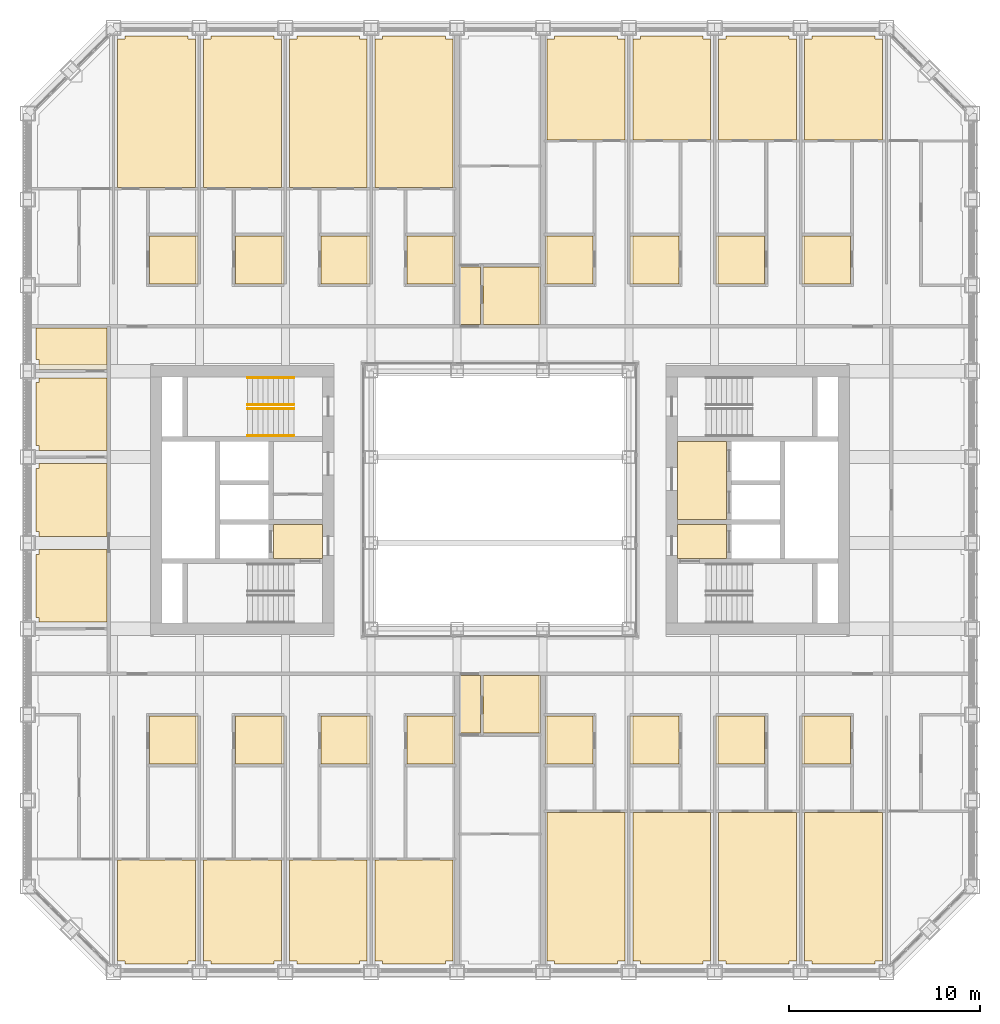
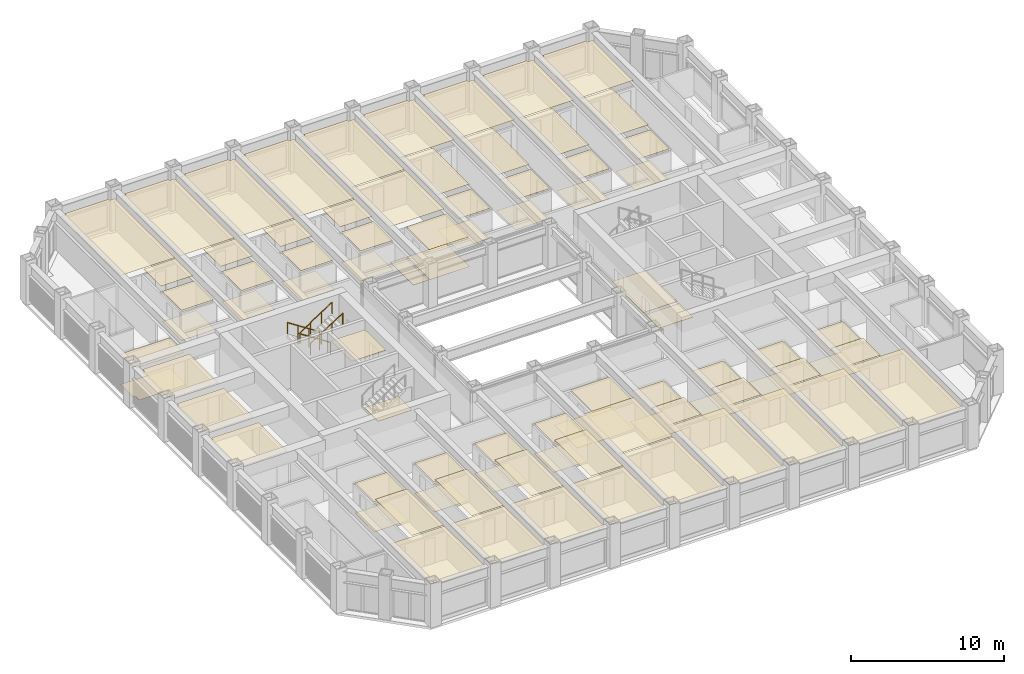
# One storey, part 18 of 21: 4 coverings, 4 railings.
"""IFC4 building model written with IfcOpenShell, lengths in metres."""

from ifc_helpers import new_model, si_unit, direction, frame, origin, origin_2d, place, context, subcontext, project, spatial, line, indexed_curve, circle, outline, extrude, material, layer, layer_set, type_object, element, save


model = new_model("IFC4")

# Units and contexts
model_context = context("Model", 3, precision=1e-05, world=origin(), true_north=direction((0.0, 1.0)))
body_context = subcontext(model_context, "Body", "Model", "MODEL_VIEW")
ifc_project = project(units=[si_unit("LENGTHUNIT", "METRE"), si_unit("AREAUNIT", "SQUARE_METRE"), si_unit("VOLUMEUNIT", "CUBIC_METRE"), si_unit("PLANEANGLEUNIT", "RADIAN"), si_unit("MASSUNIT", "GRAM", prefix="KILO")], contexts=[model_context])

# Site, building, storey
site_placement = place(None, origin())
site = spatial("IfcSite", under=ifc_project, at=site_placement, CompositionType="ELEMENT")
building_placement = place(site_placement, origin())
building = spatial("IfcBuilding", under=site, at=building_placement, Name="Msasa Ring Tower", CompositionType="ELEMENT")
storey_placement = place(building_placement, frame((0.0, 0.0, 103.5)))
storey = spatial("IfcBuildingStorey", under=building, at=storey_placement, Name="L27", CompositionType="ELEMENT", Elevation=103.5)

# Coverings
ifc_material_1 = material(Name="Gypsum plasterboard on a steel suspension grid", Category="steel")
ifc_layer_1 = layer(ifc_material_1, 0.014892578125)
ifc_layer_set_1 = layer_set([ifc_layer_1], Name="C1 SUSPENDED PLASTERBOARD CEILING 15")
covering_type_1 = type_object("IfcCoveringType", Name="C1 SUSPENDED PLASTERBOARD CEILING 15", PredefinedType="CEILING", material=ifc_layer_set_1)
covering_1_placement = place(storey_placement, frame((0.0, 0.0, 2.699951171875)))
element("IfcCovering", 1, at=covering_1_placement, inside=storey, type_object=covering_type_1, Name="Suspended Plasterboard Ceiling 15 L27", PredefinedType="CEILING", context=body_context, shape_type="SweptSolid", body=[
    extrude(outline(indexed_curve([(-24.299560546875, -2.8505859375), (-24.1494140625, -2.8505859375), (-24.1494140625, -2.6005859375), (-20.6005859375, -2.6005859375), (-20.6005859375, -6.3994140625), (-24.1494140625, -6.3994140625), (-24.1494140625, -6.1494140625), (-24.299560546875, -6.1494140625)], segments=[line(1, 2, 3, 4, 5, 6, 7, 8, 1)], self_intersect=False)), origin(), (0.0, 0.0, 1.0), 0.01513671875),
    extrude(outline(indexed_curve([(-24.299560546875, 1.6494140625), (-24.1494140625, 1.6494140625), (-24.1494140625, 1.8994140625), (-20.6005859375, 1.8994140625), (-20.6005859375, -1.8994140625), (-24.1494140625, -1.8994140625), (-24.1494140625, -1.6494140625), (-24.299560546875, -1.6494140625)], segments=[line(1, 2, 3, 4, 5, 6, 7, 8, 1)], self_intersect=False)), origin(), (0.0, 0.0, 1.0), 0.01513671875),
    extrude(outline(indexed_curve([(-24.299560546875, 6.1494140625), (-24.1494140625, 6.1494140625), (-24.1494140625, 6.3994140625), (-20.6005859375, 6.3994140625), (-20.6005859375, 2.6005859375), (-24.1494140625, 2.6005859375), (-24.1494140625, 2.8505859375), (-24.299560546875, 2.8505859375)], segments=[line(1, 2, 3, 4, 5, 6, 7, 8, 1)], self_intersect=False)), origin(), (0.0, 0.0, 1.0), 0.01513671875),
    extrude(outline(indexed_curve([(-15.960693359375, -18.867919921875), (-15.960693359375, -24.1494140625), (-16.3505859375, -24.1494140625), (-16.3505859375, -24.299560546875), (-19.6494140625, -24.299560546875), (-19.6494140625, -24.1494140625), (-20.039306640625, -24.1494140625), (-20.039306640625, -18.867919921875)], segments=[line(1, 2, 3, 4, 5, 6, 7, 8, 1)], self_intersect=False)), origin(), (0.0, 0.0, 1.0), 0.01513671875),
    extrude(outline(indexed_curve([(-20.039306640625, 16.367919921875), (-20.039306640625, 24.1494140625), (-19.6494140625, 24.1494140625), (-19.6494140625, 24.299560546875), (-16.3505859375, 24.299560546875), (-16.3505859375, 24.1494140625), (-15.960693359375, 24.1494140625), (-15.960693359375, 16.367919921875)], segments=[line(1, 2, 3, 4, 5, 6, 7, 8, 1)], self_intersect=False)), origin(), (0.0, 0.0, 1.0), 0.01513671875),
    extrude(outline(indexed_curve([(-15.960693359375, -13.992919921875), (-15.960693359375, -18.757080078125), (-18.369384765625, -18.757080078125), (-18.369384765625, -13.992919921875)], segments=[line(1, 2, 3, 4, 1)], self_intersect=False)), origin(), (0.0, 0.0, 1.0), 0.01513671875),
    extrude(outline(indexed_curve([(-15.960693359375, 16.257080078125), (-15.960693359375, 13.992919921875), (-18.369384765625, 13.992919921875), (-18.369384765625, 16.257080078125)], segments=[line(1, 2, 3, 4, 1)], self_intersect=False)), origin(), (0.0, 0.0, 1.0), 0.01513671875),
    extrude(outline(indexed_curve([(-15.1494140625, -24.299560546875), (-15.1494140625, -24.1494140625), (-15.539306640625, -24.1494140625), (-15.539306640625, -18.867919921875), (-11.460693359375, -18.867919921875), (-11.460693359375, -24.1494140625), (-11.8505859375, -24.1494140625), (-11.8505859375, -24.299560546875)], segments=[line(1, 2, 3, 4, 5, 6, 7, 8, 1)], self_intersect=False)), origin(), (0.0, 0.0, 1.0), 0.01513671875),
    extrude(outline(indexed_curve([(-11.8505859375, 24.299560546875), (-11.8505859375, 24.1494140625), (-11.460693359375, 24.1494140625), (-11.460693359375, 16.367919921875), (-15.539306640625, 16.367919921875), (-15.539306640625, 24.1494140625), (-15.1494140625, 24.1494140625), (-15.1494140625, 24.299560546875)], segments=[line(1, 2, 3, 4, 5, 6, 7, 8, 1)], self_intersect=False)), origin(), (0.0, 0.0, 1.0), 0.01513671875),
    extrude(outline(indexed_curve([(-13.869384765625, -18.757080078125), (-13.869384765625, -13.992919921875), (-11.460693359375, -13.992919921875), (-11.460693359375, -18.757080078125)], segments=[line(1, 2, 3, 4, 1)], self_intersect=False)), origin(), (0.0, 0.0, 1.0), 0.01513671875),
    extrude(outline(indexed_curve([(-13.869384765625, 13.992919921875), (-13.869384765625, 16.257080078125), (-11.460693359375, 16.257080078125), (-11.460693359375, 13.992919921875)], segments=[line(1, 2, 3, 4, 1)], self_intersect=False)), origin(), (0.0, 0.0, 1.0), 0.01513671875),
    extrude(outline(indexed_curve([(-9.300537109375, 3.074462890625), (-9.300537109375, 0.35546875), (-11.87451171875, 0.35546875), (-11.87451171875, 3.074462890625)], segments=[line(1, 2, 3, 4, 1)], self_intersect=False)), origin(), (0.0, 0.0, 1.0), 0.01513671875),
    extrude(outline(indexed_curve([(-10.6494140625, -24.299560546875), (-10.6494140625, -24.1494140625), (-11.039306640625, -24.1494140625), (-11.039306640625, -18.867919921875), (-6.960693359375, -18.867919921875), (-6.960693359375, -24.1494140625), (-7.3505859375, -24.1494140625), (-7.3505859375, -24.299560546875)], segments=[line(1, 2, 3, 4, 5, 6, 7, 8, 1)], self_intersect=False)), origin(), (0.0, 0.0, 1.0), 0.01513671875),
    extrude(outline(indexed_curve([(-7.3505859375, 24.299560546875), (-7.3505859375, 24.1494140625), (-6.960693359375, 24.1494140625), (-6.960693359375, 16.367919921875), (-11.039306640625, 16.367919921875), (-11.039306640625, 24.1494140625), (-10.6494140625, 24.1494140625), (-10.6494140625, 24.299560546875)], segments=[line(1, 2, 3, 4, 5, 6, 7, 8, 1)], self_intersect=False)), origin(), (0.0, 0.0, 1.0), 0.01513671875),
    extrude(outline(indexed_curve([(-6.960693359375, -13.992919921875), (-6.960693359375, -18.757080078125), (-9.369384765625, -18.757080078125), (-9.369384765625, -13.992919921875)], segments=[line(1, 2, 3, 4, 1)], self_intersect=False)), origin(), (0.0, 0.0, 1.0), 0.01513671875),
    extrude(outline(indexed_curve([(-9.369384765625, 13.992919921875), (-9.369384765625, 16.257080078125), (-6.960693359375, 16.257080078125), (-6.960693359375, 13.992919921875)], segments=[line(1, 2, 3, 4, 1)], self_intersect=False)), origin(), (0.0, 0.0, 1.0), 0.01513671875),
    extrude(outline(indexed_curve([(-6.1494140625, -24.299560546875), (-6.1494140625, -24.1494140625), (-6.539306640625, -24.1494140625), (-6.539306640625, -18.867919921875), (-2.460693359375, -18.867919921875), (-2.460693359375, -24.1494140625), (-2.8505859375, -24.1494140625), (-2.8505859375, -24.299560546875)], segments=[line(1, 2, 3, 4, 5, 6, 7, 8, 1)], self_intersect=False)), origin(), (0.0, 0.0, 1.0), 0.01513671875),
    extrude(outline(indexed_curve([(-2.8505859375, 24.299560546875), (-2.8505859375, 24.1494140625), (-2.460693359375, 24.1494140625), (-2.460693359375, 16.367919921875), (-6.539306640625, 16.367919921875), (-6.539306640625, 24.1494140625), (-6.1494140625, 24.1494140625), (-6.1494140625, 24.299560546875)], segments=[line(1, 2, 3, 4, 5, 6, 7, 8, 1)], self_intersect=False)), origin(), (0.0, 0.0, 1.0), 0.01513671875),
    extrude(outline(indexed_curve([(-2.460693359375, -13.992919921875), (-2.460693359375, -18.757080078125), (-4.869384765625, -18.757080078125), (-4.869384765625, -13.992919921875)], segments=[line(1, 2, 3, 4, 1)], self_intersect=False)), origin(), (0.0, 0.0, 1.0), 0.01513671875),
    extrude(outline(indexed_curve([(-2.460693359375, 16.257080078125), (-2.460693359375, 13.992919921875), (-4.869384765625, 13.992919921875), (-4.869384765625, 16.257080078125)], segments=[line(1, 2, 3, 4, 1)], self_intersect=False)), origin(), (0.0, 0.0, 1.0), 0.01513671875),
    extrude(outline(indexed_curve([(-1.6494140625, -24.299560546875), (-1.6494140625, -24.1494140625), (-2.039306640625, -24.1494140625), (-2.039306640625, -17.555419921875), (2.039306640625, -17.555419921875), (2.039306640625, -24.1494140625), (1.6494140625, -24.1494140625), (1.6494140625, -24.299560546875)], segments=[line(1, 2, 3, 4, 5, 6, 7, 8, 1)], self_intersect=False)), origin(), (0.0, 0.0, 1.0), 0.01513671875),
    extrude(outline(indexed_curve([(-2.039306640625, -17.444580078125), (-2.039306640625, -12.380615234375), (2.039306640625, -12.380615234375), (2.039306640625, -17.444580078125)], segments=[line(1, 2, 3, 4, 1)], self_intersect=False)), origin(), (0.0, 0.0, 1.0), 0.01513671875),
    extrude(outline(indexed_curve([(2.039306640625, 17.444580078125), (2.039306640625, 12.380615234375), (-2.039306640625, 12.380615234375), (-2.039306640625, 17.444580078125)], segments=[line(1, 2, 3, 4, 1)], self_intersect=False)), origin(), (0.0, 0.0, 1.0), 0.01513671875),
    extrude(outline(indexed_curve([(1.6494140625, 24.299560546875), (1.6494140625, 24.1494140625), (2.039306640625, 24.1494140625), (2.039306640625, 17.555419921875), (-2.039306640625, 17.555419921875), (-2.039306640625, 24.1494140625), (-1.6494140625, 24.1494140625), (-1.6494140625, 24.299560546875)], segments=[line(1, 2, 3, 4, 5, 6, 7, 8, 1)], self_intersect=False)), origin(), (0.0, 0.0, 1.0), 0.01513671875),
    extrude(outline(indexed_curve([(2.8505859375, -24.299560546875), (2.8505859375, -24.1494140625), (2.460693359375, -24.1494140625), (2.460693359375, -16.367919921875), (6.539306640625, -16.367919921875), (6.539306640625, -24.1494140625), (6.1494140625, -24.1494140625), (6.1494140625, -24.299560546875)], segments=[line(1, 2, 3, 4, 5, 6, 7, 8, 1)], self_intersect=False)), origin(), (0.0, 0.0, 1.0), 0.01513671875),
    extrude(outline(indexed_curve([(4.869384765625, -13.992919921875), (4.869384765625, -16.257080078125), (2.460693359375, -16.257080078125), (2.460693359375, -13.992919921875)], segments=[line(1, 2, 3, 4, 1)], self_intersect=False)), origin(), (0.0, 0.0, 1.0), 0.01513671875),
    extrude(outline(indexed_curve([(4.869384765625, 13.992919921875), (2.460693359375, 13.992919921875), (2.460693359375, 18.757080078125), (4.869384765625, 18.757080078125)], segments=[line(1, 2, 3, 4, 1)], self_intersect=False)), origin(), (0.0, 0.0, 1.0), 0.01513671875),
    extrude(outline(indexed_curve([(6.1494140625, 24.299560546875), (6.1494140625, 24.1494140625), (6.539306640625, 24.1494140625), (6.539306640625, 18.867919921875), (2.460693359375, 18.867919921875), (2.460693359375, 24.1494140625), (2.8505859375, 24.1494140625), (2.8505859375, 24.299560546875)], segments=[line(1, 2, 3, 4, 5, 6, 7, 8, 1)], self_intersect=False)), origin(), (0.0, 0.0, 1.0), 0.01513671875),
    extrude(outline(indexed_curve([(7.3505859375, -24.299560546875), (7.3505859375, -24.1494140625), (6.960693359375, -24.1494140625), (6.960693359375, -16.367919921875), (11.039306640625, -16.367919921875), (11.039306640625, -24.1494140625), (10.6494140625, -24.1494140625), (10.6494140625, -24.299560546875)], segments=[line(1, 2, 3, 4, 5, 6, 7, 8, 1)], self_intersect=False)), origin(), (0.0, 0.0, 1.0), 0.01513671875),
    extrude(outline(indexed_curve([(9.369384765625, -13.992919921875), (9.369384765625, -16.257080078125), (6.960693359375, -16.257080078125), (6.960693359375, -13.992919921875)], segments=[line(1, 2, 3, 4, 1)], self_intersect=False)), origin(), (0.0, 0.0, 1.0), 0.01513671875),
    extrude(outline(indexed_curve([(9.369384765625, 18.757080078125), (9.369384765625, 13.992919921875), (6.960693359375, 13.992919921875), (6.960693359375, 18.757080078125)], segments=[line(1, 2, 3, 4, 1)], self_intersect=False)), origin(), (0.0, 0.0, 1.0), 0.01513671875),
    extrude(outline(indexed_curve([(10.6494140625, 24.299560546875), (10.6494140625, 24.1494140625), (11.039306640625, 24.1494140625), (11.039306640625, 18.867919921875), (6.960693359375, 18.867919921875), (6.960693359375, 24.1494140625), (7.3505859375, 24.1494140625), (7.3505859375, 24.299560546875)], segments=[line(1, 2, 3, 4, 5, 6, 7, 8, 1)], self_intersect=False)), origin(), (0.0, 0.0, 1.0), 0.01513671875),
    extrude(outline(indexed_curve([(11.8505859375, -24.299560546875), (11.8505859375, -24.1494140625), (11.460693359375, -24.1494140625), (11.460693359375, -16.367919921875), (15.539306640625, -16.367919921875), (15.539306640625, -24.1494140625), (15.1494140625, -24.1494140625), (15.1494140625, -24.299560546875)], segments=[line(1, 2, 3, 4, 5, 6, 7, 8, 1)], self_intersect=False)), origin(), (0.0, 0.0, 1.0), 0.01513671875),
    extrude(outline(indexed_curve([(13.869384765625, -16.257080078125), (11.460693359375, -16.257080078125), (11.460693359375, -13.992919921875), (13.869384765625, -13.992919921875)], segments=[line(1, 2, 3, 4, 1)], self_intersect=False)), origin(), (0.0, 0.0, 1.0), 0.01513671875),
    extrude(outline(indexed_curve([(13.869384765625, 18.757080078125), (13.869384765625, 13.992919921875), (11.460693359375, 13.992919921875), (11.460693359375, 18.757080078125)], segments=[line(1, 2, 3, 4, 1)], self_intersect=False)), origin(), (0.0, 0.0, 1.0), 0.01513671875),
    extrude(outline(indexed_curve([(15.1494140625, 24.299560546875), (15.1494140625, 24.1494140625), (15.539306640625, 24.1494140625), (15.539306640625, 18.867919921875), (11.460693359375, 18.867919921875), (11.460693359375, 24.1494140625), (11.8505859375, 24.1494140625), (11.8505859375, 24.299560546875)], segments=[line(1, 2, 3, 4, 5, 6, 7, 8, 1)], self_intersect=False)), origin(), (0.0, 0.0, 1.0), 0.01513671875),
    extrude(outline(indexed_curve([(16.3505859375, -24.299560546875), (16.3505859375, -24.1494140625), (15.960693359375, -24.1494140625), (15.960693359375, -16.367919921875), (20.039306640625, -16.367919921875), (20.039306640625, -24.1494140625), (19.6494140625, -24.1494140625), (19.6494140625, -24.299560546875)], segments=[line(1, 2, 3, 4, 5, 6, 7, 8, 1)], self_intersect=False)), origin(), (0.0, 0.0, 1.0), 0.01513671875),
    extrude(outline(indexed_curve([(18.369384765625, -16.257080078125), (15.960693359375, -16.257080078125), (15.960693359375, -13.992919921875), (18.369384765625, -13.992919921875)], segments=[line(1, 2, 3, 4, 1)], self_intersect=False)), origin(), (0.0, 0.0, 1.0), 0.01513671875),
    extrude(outline(indexed_curve([(18.369384765625, 13.992919921875), (15.960693359375, 13.992919921875), (15.960693359375, 18.757080078125), (18.369384765625, 18.757080078125)], segments=[line(1, 2, 3, 4, 1)], self_intersect=False)), origin(), (0.0, 0.0, 1.0), 0.01513671875),
    extrude(outline(indexed_curve([(19.6494140625, 24.299560546875), (19.6494140625, 24.1494140625), (20.039306640625, 24.1494140625), (20.039306640625, 18.867919921875), (15.960693359375, 18.867919921875), (15.960693359375, 24.1494140625), (16.3505859375, 24.1494140625), (16.3505859375, 24.299560546875)], segments=[line(1, 2, 3, 4, 5, 6, 7, 8, 1)], self_intersect=False)), origin(), (0.0, 0.0, 1.0), 0.01513671875),
])
ifc_material_2 = material(Name="Moisture-resistant gypsum plasterboard on a steel suspension grid", Category="steel")
ifc_layer_2 = layer(ifc_material_2, 0.014892578125)
ifc_layer_set_2 = layer_set([ifc_layer_2], Name="C2 MOISTURE-RESISTANT PLASTERBOARD CEILING 15")
covering_type_2 = type_object("IfcCoveringType", Name="C2 MOISTURE-RESISTANT PLASTERBOARD CEILING 15", PredefinedType="CEILING", material=ifc_layer_set_2)
covering_2_placement = place(storey_placement, frame((0.0, 0.0, 2.39990234375)))
element("IfcCovering", 2, at=covering_2_placement, inside=storey, type_object=covering_type_2, Name="Moisture-Resistant Plasterboard Ceiling 15 L27", PredefinedType="CEILING", context=body_context, shape_type="SweptSolid", body=[
    extrude(outline(indexed_curve([(-20.6005859375, 7.1005859375), (-24.1494140625, 7.1005859375), (-24.1494140625, 7.3505859375), (-24.299560546875, 7.3505859375), (-24.299560546875, 8.99951171875), (-20.6005859375, 8.99951171875)], segments=[line(1, 2, 3, 4, 5, 6, 1)], self_intersect=False)), origin(), (0.0, 0.0, 1.0), 0.01513671875),
    extrude(outline(indexed_curve([(-18.369384765625, -11.318115234375), (-15.960693359375, -11.318115234375), (-15.960693359375, -13.83203125), (-18.369384765625, -13.83203125)], segments=[line(1, 2, 3, 4, 1)], self_intersect=False)), origin(), (0.0, 0.0, 1.0), 0.01513671875),
    extrude(outline(indexed_curve([(-18.369384765625, 13.83203125), (-15.960693359375, 13.83203125), (-15.960693359375, 11.318115234375), (-18.369384765625, 11.318115234375)], segments=[line(1, 2, 3, 4, 1)], self_intersect=False)), origin(), (0.0, 0.0, 1.0), 0.01513671875),
    extrude(outline(indexed_curve([(-13.869384765625, -11.318115234375), (-11.460693359375, -11.318115234375), (-11.460693359375, -13.83203125), (-13.869384765625, -13.83203125)], segments=[line(1, 2, 3, 4, 1)], self_intersect=False)), origin(), (0.0, 0.0, 1.0), 0.01513671875),
    extrude(outline(indexed_curve([(-11.460693359375, 13.83203125), (-11.460693359375, 11.318115234375), (-13.869384765625, 11.318115234375), (-13.869384765625, 13.83203125)], segments=[line(1, 2, 3, 4, 1)], self_intersect=False)), origin(), (0.0, 0.0, 1.0), 0.01513671875),
    extrude(outline(indexed_curve([(-9.369384765625, -11.318115234375), (-6.960693359375, -11.318115234375), (-6.960693359375, -13.83203125), (-9.369384765625, -13.83203125)], segments=[line(1, 2, 3, 4, 1)], self_intersect=False)), origin(), (0.0, 0.0, 1.0), 0.01513671875),
    extrude(outline(indexed_curve([(-6.960693359375, 13.83203125), (-6.960693359375, 11.318115234375), (-9.369384765625, 11.318115234375), (-9.369384765625, 13.83203125)], segments=[line(1, 2, 3, 4, 1)], self_intersect=False)), origin(), (0.0, 0.0, 1.0), 0.01513671875),
    extrude(outline(indexed_curve([(-4.869384765625, -11.318115234375), (-2.460693359375, -11.318115234375), (-2.460693359375, -13.83203125), (-4.869384765625, -13.83203125)], segments=[line(1, 2, 3, 4, 1)], self_intersect=False)), origin(), (0.0, 0.0, 1.0), 0.01513671875),
    extrude(outline(indexed_curve([(-4.869384765625, 13.83203125), (-2.460693359375, 13.83203125), (-2.460693359375, 11.318115234375), (-4.869384765625, 11.318115234375)], segments=[line(1, 2, 3, 4, 1)], self_intersect=False)), origin(), (0.0, 0.0, 1.0), 0.01513671875),
    extrude(outline(indexed_curve([(-0.8994140625, -9.200439453125), (2.039306640625, -9.200439453125), (2.039306640625, -12.219482421875), (-0.8994140625, -12.219482421875)], segments=[line(1, 2, 3, 4, 1)], self_intersect=False)), origin(), (0.0, 0.0, 1.0), 0.01513671875),
    extrude(outline(indexed_curve([(-0.8994140625, 12.219482421875), (2.039306640625, 12.219482421875), (2.039306640625, 9.200439453125), (-0.8994140625, 9.200439453125)], segments=[line(1, 2, 3, 4, 1)], self_intersect=False)), origin(), (0.0, 0.0, 1.0), 0.01513671875),
    extrude(outline(indexed_curve([(4.869384765625, -11.318115234375), (4.869384765625, -13.83203125), (2.460693359375, -13.83203125), (2.460693359375, -11.318115234375)], segments=[line(1, 2, 3, 4, 1)], self_intersect=False)), origin(), (0.0, 0.0, 1.0), 0.01513671875),
    extrude(outline(indexed_curve([(4.869384765625, 13.83203125), (4.869384765625, 11.318115234375), (2.460693359375, 11.318115234375), (2.460693359375, 13.83203125)], segments=[line(1, 2, 3, 4, 1)], self_intersect=False)), origin(), (0.0, 0.0, 1.0), 0.01513671875),
    extrude(outline(indexed_curve([(9.369384765625, -11.318115234375), (9.369384765625, -13.83203125), (6.960693359375, -13.83203125), (6.960693359375, -11.318115234375)], segments=[line(1, 2, 3, 4, 1)], self_intersect=False)), origin(), (0.0, 0.0, 1.0), 0.01513671875),
    extrude(outline(indexed_curve([(9.369384765625, 13.83203125), (9.369384765625, 11.318115234375), (6.960693359375, 11.318115234375), (6.960693359375, 13.83203125)], segments=[line(1, 2, 3, 4, 1)], self_intersect=False)), origin(), (0.0, 0.0, 1.0), 0.01513671875),
    extrude(outline(indexed_curve([(13.869384765625, -11.318115234375), (13.869384765625, -13.83203125), (11.460693359375, -13.83203125), (11.460693359375, -11.318115234375)], segments=[line(1, 2, 3, 4, 1)], self_intersect=False)), origin(), (0.0, 0.0, 1.0), 0.01513671875),
    extrude(outline(indexed_curve([(13.869384765625, 13.83203125), (13.869384765625, 11.318115234375), (11.460693359375, 11.318115234375), (11.460693359375, 13.83203125)], segments=[line(1, 2, 3, 4, 1)], self_intersect=False)), origin(), (0.0, 0.0, 1.0), 0.01513671875),
    extrude(outline(indexed_curve([(18.369384765625, -11.318115234375), (18.369384765625, -13.83203125), (15.960693359375, -13.83203125), (15.960693359375, -11.318115234375)], segments=[line(1, 2, 3, 4, 1)], self_intersect=False)), origin(), (0.0, 0.0, 1.0), 0.01513671875),
    extrude(outline(indexed_curve([(18.369384765625, 13.83203125), (18.369384765625, 11.318115234375), (15.960693359375, 11.318115234375), (15.960693359375, 13.83203125)], segments=[line(1, 2, 3, 4, 1)], self_intersect=False)), origin(), (0.0, 0.0, 1.0), 0.01513671875),
])
ifc_material_3 = material(Name="Honed granite tiles on a mortar bed", Category="masonry")
ifc_layer_3 = layer(ifc_material_3, 0.030029296875)
ifc_layer_set_3 = layer_set([ifc_layer_3], Name="F1 HONED GRANITE ON BEDDING 30")
covering_type_3 = type_object("IfcCoveringType", Name="F1 HONED GRANITE ON BEDDING 30", PredefinedType="FLOORING", material=ifc_layer_set_3)
covering_3_placement = place(storey_placement, origin())
element("IfcCovering", 3, at=covering_3_placement, inside=storey, type_object=covering_type_3, Name="Honed Granite On Bedding 30 L27", PredefinedType="FLOORING", context=body_context, shape_type="SweptSolid", body=[
    extrude(outline(indexed_curve([(-11.87451171875, -3.074462890625), (-11.87451171875, -1.275390625), (-9.300537109375, -1.275390625), (-9.300537109375, -3.074462890625)], segments=[line(1, 2, 3, 4, 1)], self_intersect=False)), origin(), (0.0, 0.0, 1.0), 0.030029296875),
    extrude(outline(indexed_curve([(-2.12451171875, -12.219482421875), (-2.12451171875, -9.200439453125), (-1.025390625, -9.200439453125), (-1.025390625, -12.219482421875)], segments=[line(1, 2, 3, 4, 1)], self_intersect=False)), origin(), (0.0, 0.0, 1.0), 0.030029296875),
    extrude(outline(indexed_curve([(-1.025390625, 12.219482421875), (-1.025390625, 9.200439453125), (-2.12451171875, 9.200439453125), (-2.12451171875, 12.219482421875)], segments=[line(1, 2, 3, 4, 1)], self_intersect=False)), origin(), (0.0, 0.0, 1.0), 0.030029296875),
    extrude(outline(indexed_curve([(9.300537109375, -3.074462890625), (9.300537109375, -1.275390625), (11.87451171875, -1.275390625), (11.87451171875, -3.074462890625)], segments=[line(1, 2, 3, 4, 1)], self_intersect=False)), origin(), (0.0, 0.0, 1.0), 0.030029296875),
    extrude(outline(indexed_curve([(9.300537109375, 3.074462890625), (11.87451171875, 3.074462890625), (11.87451171875, -1.0244140625), (9.300537109375, -1.0244140625)], segments=[line(1, 2, 3, 4, 1)], self_intersect=False)), origin(), (0.0, 0.0, 1.0), 0.030029296875),
])
ifc_material_4 = material(Name="Porcelain floor tiles in adhesive", Category="ceramic")
ifc_layer_4 = layer(ifc_material_4, 0.010009765625)
ifc_layer_set_4 = layer_set([ifc_layer_4], Name="F4 PORCELAIN TILE ON ADHESIVE 10")
covering_type_4 = type_object("IfcCoveringType", Name="F4 PORCELAIN TILE ON ADHESIVE 10", PredefinedType="FLOORING", material=ifc_layer_set_4)
covering_4_placement = place(storey_placement, origin())
element("IfcCovering", 4, at=covering_4_placement, inside=storey, type_object=covering_type_4, Name="Porcelain Tile On Adhesive 10 L27", PredefinedType="FLOORING", context=body_context, shape_type="SweptSolid", body=[
    extrude(outline(indexed_curve([(-24.1494140625, 6.83056640625), (-24.1494140625, 7.3505859375), (-24.299560546875, 7.3505859375), (-24.299560546875, 8.99951171875), (-20.6005859375, 8.99951171875), (-20.6005859375, 6.83056640625)], segments=[line(1, 2, 3, 4, 5, 6, 1)], self_intersect=False)), origin(), (0.0, 0.0, 1.0), 0.010009765625),
    extrude(outline(indexed_curve([(-15.818115234375, -11.318115234375), (-15.818115234375, -13.83203125), (-18.369384765625, -13.83203125), (-18.369384765625, -11.318115234375)], segments=[line(1, 2, 3, 4, 1)], self_intersect=False)), origin(), (0.0, 0.0, 1.0), 0.010009765625),
    extrude(outline(indexed_curve([(-15.818115234375, 13.83203125), (-15.818115234375, 11.318115234375), (-18.369384765625, 11.318115234375), (-18.369384765625, 13.83203125)], segments=[line(1, 2, 3, 4, 1)], self_intersect=False)), origin(), (0.0, 0.0, 1.0), 0.010009765625),
    extrude(outline(indexed_curve([(-11.318115234375, -11.318115234375), (-11.318115234375, -13.83203125), (-13.869384765625, -13.83203125), (-13.869384765625, -11.318115234375)], segments=[line(1, 2, 3, 4, 1)], self_intersect=False)), origin(), (0.0, 0.0, 1.0), 0.010009765625),
    extrude(outline(indexed_curve([(-11.318115234375, 11.318115234375), (-13.869384765625, 11.318115234375), (-13.869384765625, 13.83203125), (-11.318115234375, 13.83203125)], segments=[line(1, 2, 3, 4, 1)], self_intersect=False)), origin(), (0.0, 0.0, 1.0), 0.010009765625),
    extrude(outline(indexed_curve([(-6.818115234375, -11.318115234375), (-6.818115234375, -13.83203125), (-9.369384765625, -13.83203125), (-9.369384765625, -11.318115234375)], segments=[line(1, 2, 3, 4, 1)], self_intersect=False)), origin(), (0.0, 0.0, 1.0), 0.010009765625),
    extrude(outline(indexed_curve([(-6.818115234375, 11.318115234375), (-9.369384765625, 11.318115234375), (-9.369384765625, 13.83203125), (-6.818115234375, 13.83203125)], segments=[line(1, 2, 3, 4, 1)], self_intersect=False)), origin(), (0.0, 0.0, 1.0), 0.010009765625),
    extrude(outline(indexed_curve([(-2.37548828125, -11.318115234375), (-2.37548828125, -13.83203125), (-4.869384765625, -13.83203125), (-4.869384765625, -11.318115234375)], segments=[line(1, 2, 3, 4, 1)], self_intersect=False)), origin(), (0.0, 0.0, 1.0), 0.010009765625),
    extrude(outline(indexed_curve([(-2.37548828125, 13.83203125), (-2.37548828125, 11.318115234375), (-4.869384765625, 11.318115234375), (-4.869384765625, 13.83203125)], segments=[line(1, 2, 3, 4, 1)], self_intersect=False)), origin(), (0.0, 0.0, 1.0), 0.010009765625),
    extrude(outline(indexed_curve([(2.12451171875, -9.200439453125), (2.12451171875, -12.219482421875), (-0.87451171875, -12.219482421875), (-0.87451171875, -9.200439453125)], segments=[line(1, 2, 3, 4, 1)], self_intersect=False)), origin(), (0.0, 0.0, 1.0), 0.010009765625),
    extrude(outline(indexed_curve([(2.12451171875, 12.219482421875), (2.12451171875, 9.200439453125), (-0.87451171875, 9.200439453125), (-0.87451171875, 12.219482421875)], segments=[line(1, 2, 3, 4, 1)], self_intersect=False)), origin(), (0.0, 0.0, 1.0), 0.010009765625),
    extrude(outline(indexed_curve([(4.869384765625, -11.318115234375), (4.869384765625, -13.83203125), (2.37548828125, -13.83203125), (2.37548828125, -11.318115234375)], segments=[line(1, 2, 3, 4, 1)], self_intersect=False)), origin(), (0.0, 0.0, 1.0), 0.010009765625),
    extrude(outline(indexed_curve([(4.869384765625, 13.83203125), (4.869384765625, 11.318115234375), (2.37548828125, 11.318115234375), (2.37548828125, 13.83203125)], segments=[line(1, 2, 3, 4, 1)], self_intersect=False)), origin(), (0.0, 0.0, 1.0), 0.010009765625),
    extrude(outline(indexed_curve([(9.369384765625, -11.318115234375), (9.369384765625, -13.83203125), (6.818115234375, -13.83203125), (6.818115234375, -11.318115234375)], segments=[line(1, 2, 3, 4, 1)], self_intersect=False)), origin(), (0.0, 0.0, 1.0), 0.010009765625),
    extrude(outline(indexed_curve([(9.369384765625, 13.83203125), (9.369384765625, 11.318115234375), (6.818115234375, 11.318115234375), (6.818115234375, 13.83203125)], segments=[line(1, 2, 3, 4, 1)], self_intersect=False)), origin(), (0.0, 0.0, 1.0), 0.010009765625),
    extrude(outline(indexed_curve([(13.869384765625, -13.83203125), (11.318115234375, -13.83203125), (11.318115234375, -11.318115234375), (13.869384765625, -11.318115234375)], segments=[line(1, 2, 3, 4, 1)], self_intersect=False)), origin(), (0.0, 0.0, 1.0), 0.010009765625),
    extrude(outline(indexed_curve([(13.869384765625, 11.318115234375), (11.318115234375, 11.318115234375), (11.318115234375, 13.83203125), (13.869384765625, 13.83203125)], segments=[line(1, 2, 3, 4, 1)], self_intersect=False)), origin(), (0.0, 0.0, 1.0), 0.010009765625),
    extrude(outline(indexed_curve([(18.369384765625, -13.83203125), (15.818115234375, -13.83203125), (15.818115234375, -11.318115234375), (18.369384765625, -11.318115234375)], segments=[line(1, 2, 3, 4, 1)], self_intersect=False)), origin(), (0.0, 0.0, 1.0), 0.010009765625),
    extrude(outline(indexed_curve([(18.369384765625, 11.318115234375), (15.818115234375, 11.318115234375), (15.818115234375, 13.83203125), (18.369384765625, 13.83203125)], segments=[line(1, 2, 3, 4, 1)], self_intersect=False)), origin(), (0.0, 0.0, 1.0), 0.010009765625),
])

# Railings
ifc_material_5 = material(Name="Stainless steel", Category="steel")
railing_type = type_object("IfcRailingType", Name="HR1 HANDRAIL 900", PredefinedType="HANDRAIL", material=ifc_material_5)
for number, where, name in (
    (5, (-10.800048828125, 5.0, 0.175048828125), "Handrail stair SWB L27 1"),
    (6, (-10.800048828125, 6.39990234375, 0.175048828125), "Handrail stair SWB L27 2"),
):
    element("IfcRailing", number, at=place(storey_placement, frame(where)), inside=storey, type_object=railing_type, Name=name, PredefinedType="HANDRAIL", context=body_context, shape_type="SweptSolid", body=[
        extrude(circle(Radius=0.02392578125, at=origin_2d()), frame((0.0, 0.0, 0.8759765625), z_axis=(-0.839153699163, 0.0, 0.543894354798), x_axis=(0.0, -1.0, 0.0)), (0.0, 0.0, 1.0), 2.895751953125),
        extrude(circle(Radius=0.02099609375, at=origin_2d()), origin(), (0.0, 0.0, 1.0), 0.851806640625),
        extrude(circle(Radius=0.02099609375, at=origin_2d()), frame((-0.81005859375, 0.0, 0.52490234375)), (0.0, 0.0, 1.0), 0.851806640625),
        extrude(circle(Radius=0.02099609375, at=origin_2d()), frame((-1.619873046875, 0.0, 1.050048828125)), (0.0, 0.0, 1.0), 0.851806640625),
        extrude(circle(Radius=0.02099609375, at=origin_2d()), frame((-2.429931640625, 0.0, 1.574951171875)), (0.0, 0.0, 1.0), 0.851806640625),
    ])
for number, where, name in (
    (7, (-13.22998046875, 3.375, 1.925048828125), "Handrail stair SWB L27 3"),
    (8, (-13.22998046875, 4.77490234375, 1.925048828125), "Handrail stair SWB L27 4"),
):
    element("IfcRailing", number, at=place(storey_placement, frame(where)), inside=storey, type_object=railing_type, Name=name, PredefinedType="HANDRAIL", context=body_context, shape_type="SweptSolid", body=[
        extrude(circle(Radius=0.02392578125, at=origin_2d()), frame((0.0, 0.0, 0.8759765625), z_axis=(0.839153699163, 0.0, 0.543894354798), x_axis=(0.0, 1.0, 0.0)), (0.0, 0.0, 1.0), 2.895751953125),
        extrude(circle(Radius=0.02099609375, at=origin_2d()), origin(), (0.0, 0.0, 1.0), 0.851806640625),
        extrude(circle(Radius=0.02099609375, at=origin_2d()), frame((0.81005859375, 0.0, 0.52490234375)), (0.0, 0.0, 1.0), 0.851806640625),
        extrude(circle(Radius=0.02099609375, at=origin_2d()), frame((1.619873046875, 0.0, 1.050048828125)), (0.0, 0.0, 1.0), 0.851806640625),
        extrude(circle(Radius=0.02099609375, at=origin_2d()), frame((2.429931640625, 0.0, 1.574951171875)), (0.0, 0.0, 1.0), 0.851806640625),
    ])

save(model, "model.ifc")
